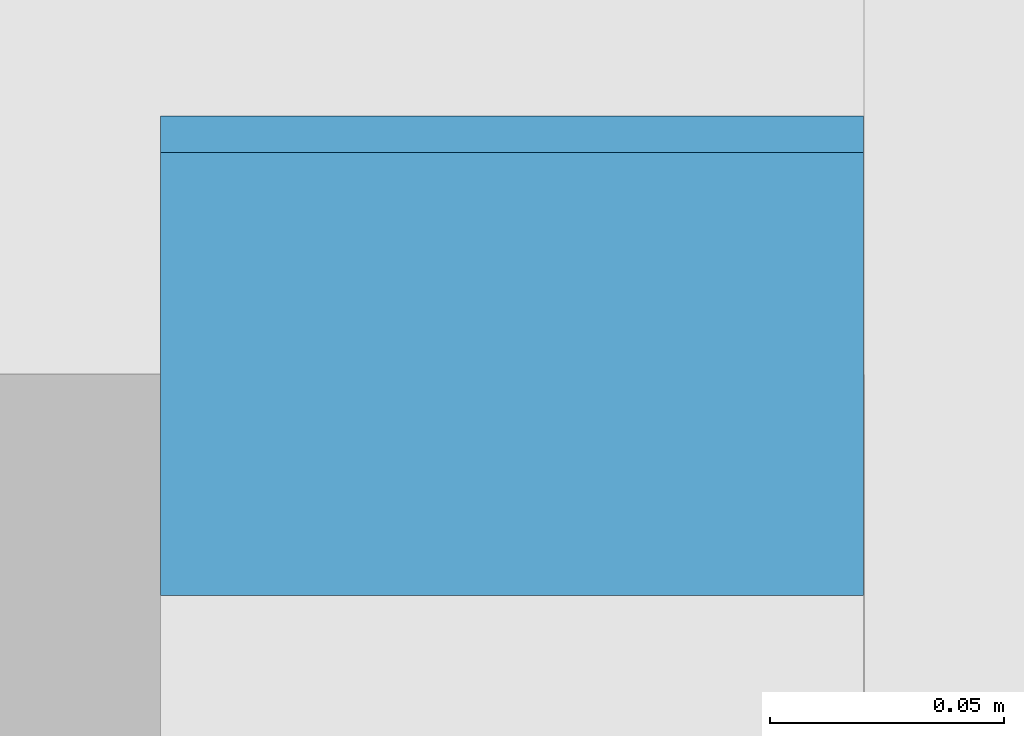
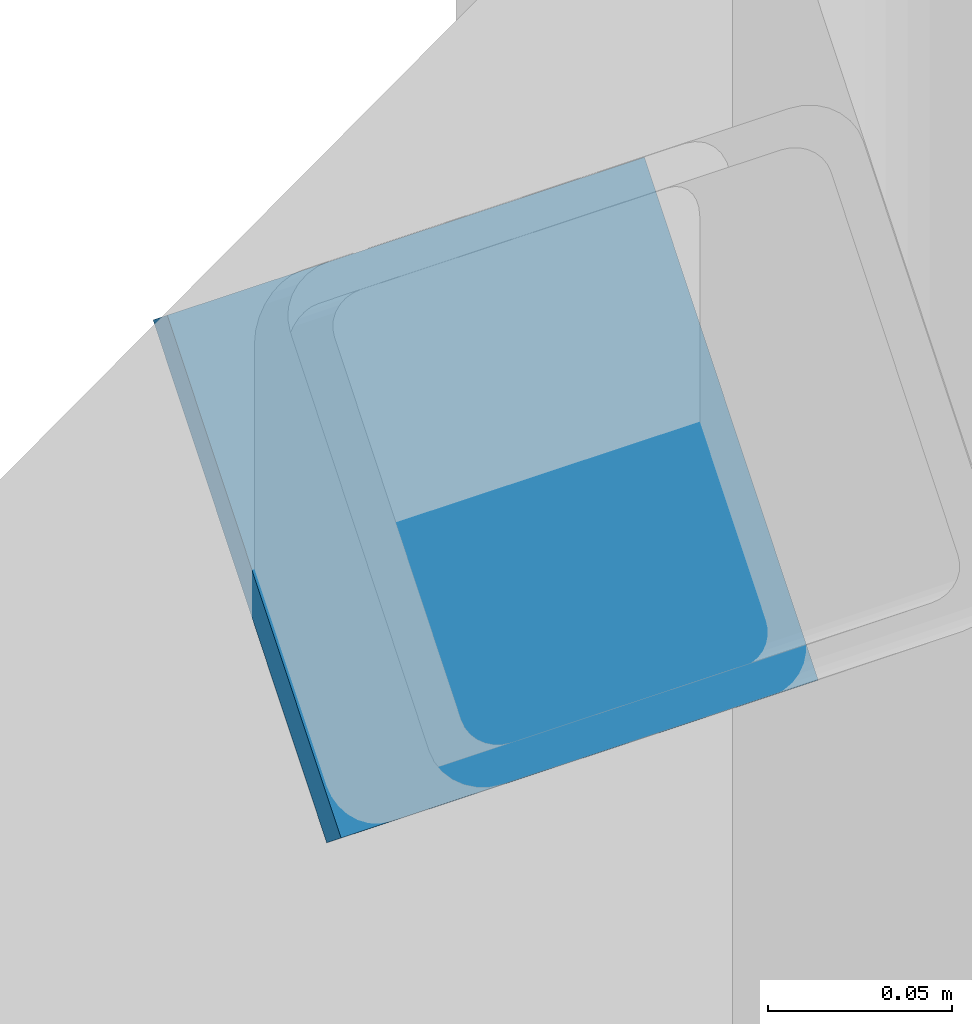
# One storey, part 112 of 153: 1 discrete accessory.
"""IFC4 building model written with IfcOpenShell, lengths in metres."""

from ifc_helpers import new_model, si_unit, direction, frame, origin, origin_2d, place, context, subcontext, project, spatial, rectangle, extrude, material, material_profile, profile_set, type_object, element, save


model = new_model("IFC4")

# Units and contexts
model_context = context("Model", 3, precision=1e-05, world=origin(), true_north=direction((0.0, 1.0)))
body_context = subcontext(model_context, "Body", "Model", "MODEL_VIEW")
ifc_project = project(units=[si_unit("LENGTHUNIT", "METRE"), si_unit("AREAUNIT", "SQUARE_METRE"), si_unit("VOLUMEUNIT", "CUBIC_METRE"), si_unit("PLANEANGLEUNIT", "RADIAN"), si_unit("MASSUNIT", "GRAM", prefix="KILO")], contexts=[model_context])

# Site, building, storey
site_placement = place(None, origin())
site = spatial("IfcSite", under=ifc_project, at=site_placement, CompositionType="ELEMENT")
building_placement = place(site_placement, origin())
building = spatial("IfcBuilding", under=site, at=building_placement, Name="Kallimachos Central Library", CompositionType="ELEMENT")
storey_placement = place(building_placement, frame((0.0, 0.0, 5.39990234375)))
storey = spatial("IfcBuildingStorey", under=building, at=storey_placement, Name="L01", CompositionType="ELEMENT", Elevation=5.39990234375)

# Discrete accessory
ifc_material = material(Name="Steel S355J2", Category="steel")
ifc_material_profile = material_profile(ifc_material, rectangle(XDim=0.14990234375, YDim=0.14990234375, at=origin_2d()), Name="End cap plate 10, 150x150")
ifc_profile_set = profile_set([ifc_material_profile], Name="Steel S355J2")
discrete_accessory_type = type_object("IfcDiscreteAccessoryType", Name="End cap plate 10, 150x150", PredefinedType="BRACKET", material=ifc_profile_set)
discrete_accessory_placement = place(storey_placement, frame((13.77490234375, 36.0078125, 0.393798828125), z_axis=(0.0, -0.776114000116, 0.630592625094), x_axis=(1.0, 0.0, 0.0)))
element("IfcDiscreteAccessory", 1, at=discrete_accessory_placement, inside=storey, type_object=discrete_accessory_type, Name="End cap plate", PredefinedType="BRACKET", context=body_context, shape_type="SweptSolid", body=[
    extrude(rectangle(XDim=0.14990234375, YDim=0.14990234375, at=origin_2d()), origin(), (0.0, 0.0, 1.0), 0.010009765625),
])

save(model, "model.ifc")
